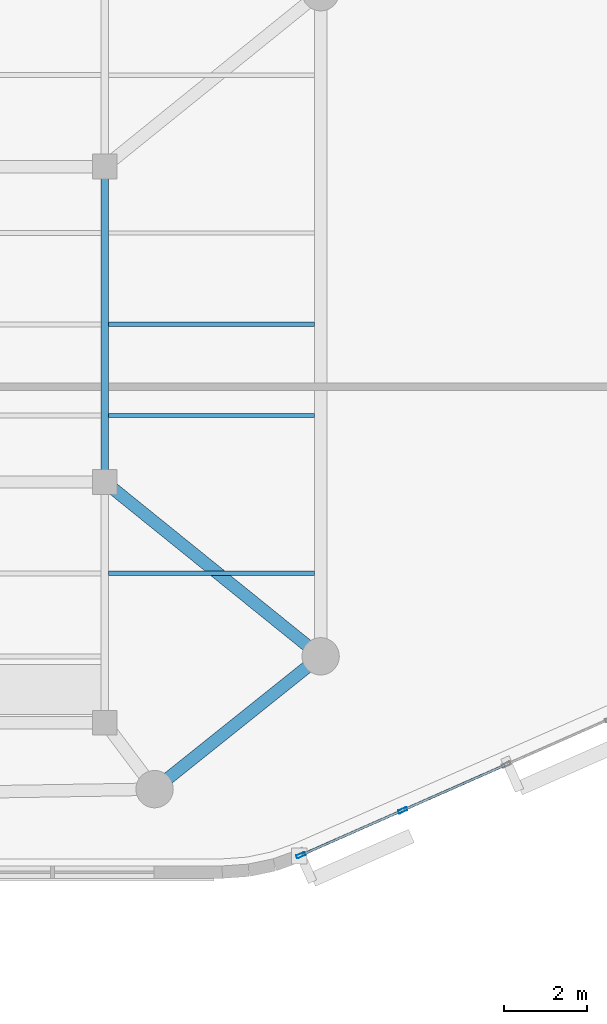
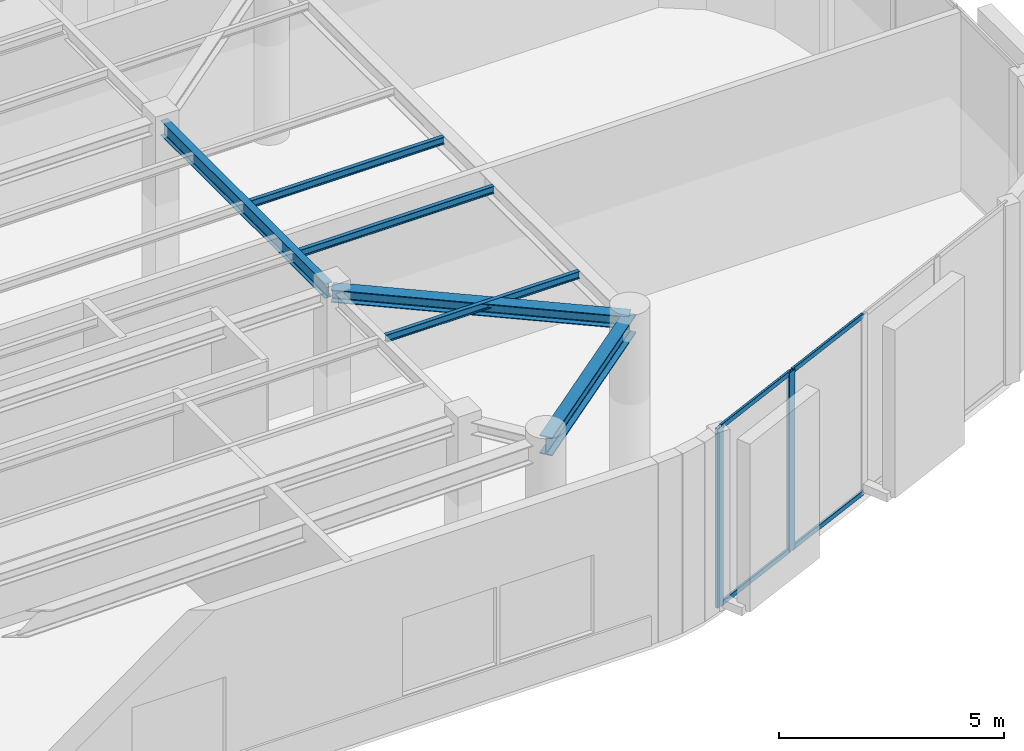
# One storey, part 2 of 12: 6 beams, 6 members, 1 element without a shape of its own.
"""IFC4 building model written with IfcOpenShell, lengths in metres."""

from ifc_helpers import new_model, si_unit, direction, frame, origin, origin_2d, place, context, subcontext, project, spatial, hollow_rectangle, i_section, extrude, material, layer, layer_set, material_profile, profile_set, type_object, element, aggregate, save


model = new_model("IFC4")

# Units and contexts
model_context = context("Model", 3, precision=1e-05, world=origin(), true_north=direction((0.0, 1.0)))
body_context = subcontext(model_context, "Body", "Model", "MODEL_VIEW")
ifc_project = project(units=[si_unit("LENGTHUNIT", "METRE"), si_unit("AREAUNIT", "SQUARE_METRE"), si_unit("VOLUMEUNIT", "CUBIC_METRE"), si_unit("PLANEANGLEUNIT", "RADIAN"), si_unit("MASSUNIT", "GRAM", prefix="KILO")], contexts=[model_context])

# Site, building, storey
site_placement = place(None, origin())
site = spatial("IfcSite", under=ifc_project, at=site_placement, CompositionType="ELEMENT")
building_placement = place(site_placement, origin())
building = spatial("IfcBuilding", under=site, at=building_placement, Name="An Khanh Terracotta Commons", CompositionType="ELEMENT")
storey_placement = place(building_placement, frame((0.0, 0.0, 295.300048828125)))
storey = spatial("IfcBuildingStorey", under=building, at=storey_placement, Name="L77", CompositionType="ELEMENT", Elevation=295.300048828125)

# Beams
ifc_material_1 = material(Name="Steel S355J2", Category="steel")
ifc_material_profile_1 = material_profile(ifc_material_1, i_section(OverallWidth=0.300048828125, OverallDepth=0.340087890625, WebThickness=0.011962890625, FlangeThickness=0.021484375, FilletRadius=0.027099609375, at=origin_2d()), Name="HEB340")
ifc_profile_set_1 = profile_set([ifc_material_profile_1], Name="Steel S355J2")
beam_type_1 = type_object("IfcBeamType", Name="BM-HEB340", PredefinedType="BEAM", material=ifc_profile_set_1)
beam_1_placement = place(storey_placement, frame((63.39990234375, 16.0, 4.679931640625), z_axis=(-0.777941866883, 0.628336256913, 0.0), x_axis=(-0.628336256913, -0.777941866883, 0.0)))
element("IfcBeam", 1, at=beam_1_placement, inside=storey, type_object=beam_type_1, Name="L77 Mega-Column Tie Girder 3", PredefinedType="BEAM", context=body_context, shape_type="SweptSolid", body=[
    extrude(i_section(OverallWidth=0.300048828125, OverallDepth=0.340087890625, WebThickness=0.011962890625, FlangeThickness=0.021484375, FilletRadius=0.027099609375, at=origin_2d()), origin(), (0.0, 0.0, 1.0), 6.684326171875),
])
ifc_material_profile_2 = material_profile(ifc_material_1, i_section(OverallWidth=0.300048828125, OverallDepth=0.5, WebThickness=0.014404296875, FlangeThickness=0.028076171875, FilletRadius=0.027099609375, at=origin_2d()), Name="HEB500")
ifc_profile_set_2 = profile_set([ifc_material_profile_2], Name="Steel S355J2")
beam_type_2 = type_object("IfcBeamType", Name="BM-HEB500", PredefinedType="BEAM", material=ifc_profile_set_2)
beam_2_placement = place(storey_placement, frame((59.39990234375, 12.800048828125, 4.599853515625), z_axis=(0.780873459249, 0.624689235253, 0.0), x_axis=(-0.624689235253, 0.780873459249, 0.0)))
element("IfcBeam", 2, at=beam_2_placement, inside=storey, type_object=beam_type_2, Name="L77 Perimeter Ring Spandrel 2", PredefinedType="BEAM", context=body_context, shape_type="SweptSolid", body=[
    extrude(i_section(OverallWidth=0.300048828125, OverallDepth=0.5, WebThickness=0.014404296875, FlangeThickness=0.028076171875, FilletRadius=0.027099609375, at=origin_2d()), origin(), (0.0, 0.0, 1.0), 5.12255859375),
])
ifc_material_profile_3 = material_profile(ifc_material_1, i_section(OverallWidth=0.10009765625, OverallDepth=0.199951171875, WebThickness=0.005615234375, FlangeThickness=0.008544921875, FilletRadius=0.011962890625, at=origin_2d()), Name="IPE200")
ifc_profile_set_3 = profile_set([ifc_material_profile_3], Name="Steel S355J2")
beam_type_3 = type_object("IfcBeamType", Name="BM-IPE200", PredefinedType="JOIST", material=ifc_profile_set_3)
for number, where, z_axis, x_axis, name in (
    (3, (58.2900390625, 18.0, 4.75), (1.0, 0.0, 0.0), (0.0, 1.0, 0.0), "L77 Riverfront Composite Joist 2"),
    (4, (58.2900390625, 21.800048828125, 4.75), (1.0, 0.0, 0.0), (0.0, 1.0, 0.0), "L77 Riverfront Composite Joist 3"),
    (5, (58.2900390625, 24.0, 4.75), (1.0, 0.0, 0.0), (0.0, 1.0, 0.0), "L77 Riverfront Composite Joist 4"),
):
    element("IfcBeam", number, at=place(storey_placement, frame(where, z_axis=z_axis, x_axis=x_axis)), inside=storey, type_object=beam_type_3, Name=name, PredefinedType="JOIST", context=body_context, shape_type="SweptSolid", body=[
        extrude(i_section(OverallWidth=0.10009765625, OverallDepth=0.199951171875, WebThickness=0.005615234375, FlangeThickness=0.008544921875, FilletRadius=0.011962890625, at=origin_2d()), origin(), (0.0, 0.0, 1.0), 4.9599609375),
    ])
ifc_material_profile_4 = material_profile(ifc_material_1, i_section(OverallWidth=0.179931640625, OverallDepth=0.39990234375, WebThickness=0.008544921875, FlangeThickness=0.013427734375, FilletRadius=0.02099609375, at=origin_2d()), Name="IPE400")
ifc_profile_set_4 = profile_set([ifc_material_profile_4], Name="Steel S355J2")
beam_type_4 = type_object("IfcBeamType", Name="BM-IPE400", PredefinedType="JOIST", material=ifc_profile_set_4)
beam_3_placement = place(storey_placement, frame((58.199951171875, 20.35009765625, 4.64990234375), z_axis=(0.0, 1.0, 0.0), x_axis=(-1.0, 0.0, 0.0)))
element("IfcBeam", 6, at=beam_3_placement, inside=storey, type_object=beam_type_4, Name="L77 East Spine Girder 2", PredefinedType="JOIST", context=body_context, shape_type="SweptSolid", body=[
    extrude(i_section(OverallWidth=0.179931640625, OverallDepth=0.39990234375, WebThickness=0.008544921875, FlangeThickness=0.013427734375, FilletRadius=0.02099609375, at=origin_2d()), origin(), (0.0, 0.0, 1.0), 7.2998046875),
])

# Curtain wall, members
ifc_material_2 = material(Name="Anodised Aluminium 6063-T6", Category="aluminium")
ifc_layer = layer(ifc_material_2, 0.239990234375, Name="Anodised Aluminium 6063-T6")
ifc_layer_set = layer_set([ifc_layer], Name="Anodised Aluminium 6063-T6")
curtain_wall_type = type_object("IfcCurtainWallType", Name="CW-SYS-04", PredefinedType="USERDEFINED", material=ifc_layer_set)
curtain_wall_placement = place(storey_placement, origin())
curtain_wall = element("IfcCurtainWall", 7, at=curtain_wall_placement, inside=storey, type_object=curtain_wall_type, Name="L77 CW-04 Unitised Curtain Wall CW-L77-08", ObjectType="UNITISED CURTAIN WALL", PredefinedType="USERDEFINED")
ifc_material_profile_5 = material_profile(ifc_material_2, hollow_rectangle(XDim=0.080078125, YDim=0.219970703125, WallThickness=0.0048828125, InnerFilletRadius=0.0048828125, OuterFilletRadius=0.010009765625, at=origin_2d()), Name="RHS220x80x5")
ifc_profile_set_5 = profile_set([ifc_material_profile_5], Name="Anodised Aluminium 6063-T6")
member_type_1 = type_object("IfcMemberType", Name="CWM-RHS220x80x5", PredefinedType="MULLION", material=ifc_profile_set_5)
member_1_placement = place(storey_placement, frame((62.923583984375, 11.20703125, 0.0), z_axis=(0.0, 0.0, 1.0), x_axis=(-0.403676354285, 0.914901853201, 0.0)))
member_1 = element("IfcMember", 8, at=member_1_placement, type_object=member_type_1, Name="CW-04 mullion 1", PredefinedType="MULLION", context=body_context, shape_type="SweptSolid", body=[
    extrude(hollow_rectangle(XDim=0.080078125, YDim=0.219970703125, WallThickness=0.0048828125, InnerFilletRadius=0.0048828125, OuterFilletRadius=0.010009765625, at=origin_2d()), origin(), (0.0, 0.0, 1.0), 4.849853515625),
])
member_2_placement = place(storey_placement, frame((65.37939453125, 12.290771484375, 0.0), z_axis=(0.0, 0.0, 1.0), x_axis=(-0.403676354285, 0.914901853201, 0.0)))
member_2 = element("IfcMember", 9, at=member_2_placement, type_object=member_type_1, Name="CW-04 mullion 2", PredefinedType="MULLION", context=body_context, shape_type="SweptSolid", body=[
    extrude(hollow_rectangle(XDim=0.080078125, YDim=0.219970703125, WallThickness=0.0048828125, InnerFilletRadius=0.0048828125, OuterFilletRadius=0.010009765625, at=origin_2d()), origin(), (0.0, 0.0, 1.0), 4.849853515625),
])
ifc_material_profile_6 = material_profile(ifc_material_2, hollow_rectangle(XDim=0.06005859375, YDim=0.135009765625, WallThickness=0.003662109375, InnerFilletRadius=0.003662109375, OuterFilletRadius=0.007080078125, at=origin_2d()), Name="RHS135x60x3.6")
ifc_profile_set_6 = profile_set([ifc_material_profile_6], Name="Anodised Aluminium 6063-T6")
member_type_2 = type_object("IfcMemberType", Name="CWT-RHS135x60x3.6", PredefinedType="USERDEFINED", material=ifc_profile_set_6)
member_3_placement = place(storey_placement, frame((62.960205078125, 11.223388671875, 0.030029296875), z_axis=(0.914913728775, 0.403649438126, 0.0), x_axis=(-0.403649438126, 0.914913728775, 0.0)))
member_3 = element("IfcMember", 10, at=member_3_placement, type_object=member_type_2, Name="CW-04 transom 1.1", ObjectType="TRANSOM", PredefinedType="USERDEFINED", context=body_context, shape_type="SweptSolid", body=[
    extrude(hollow_rectangle(XDim=0.06005859375, YDim=0.135009765625, WallThickness=0.003662109375, InnerFilletRadius=0.003662109375, OuterFilletRadius=0.007080078125, at=origin_2d()), origin(), (0.0, 0.0, 1.0), 2.6044921875),
])
member_4_placement = place(storey_placement, frame((62.960205078125, 11.223388671875, 4.820068359375), z_axis=(0.914913728775, 0.403649438126, 0.0), x_axis=(-0.403649438126, 0.914913728775, 0.0)))
member_4 = element("IfcMember", 11, at=member_4_placement, type_object=member_type_2, Name="CW-04 transom 1.2", ObjectType="TRANSOM", PredefinedType="USERDEFINED", context=body_context, shape_type="SweptSolid", body=[
    extrude(hollow_rectangle(XDim=0.06005859375, YDim=0.135009765625, WallThickness=0.003662109375, InnerFilletRadius=0.003662109375, OuterFilletRadius=0.007080078125, at=origin_2d()), origin(), (0.0, 0.0, 1.0), 2.6044921875),
])
member_5_placement = place(storey_placement, frame((65.416015625, 12.306884765625, 0.030029296875), z_axis=(0.914919807128, 0.403635660622, 0.0), x_axis=(-0.403635660622, 0.914919807128, 0.0)))
member_5 = element("IfcMember", 12, at=member_5_placement, type_object=member_type_2, Name="CW-04 transom 2.1", ObjectType="TRANSOM", PredefinedType="USERDEFINED", context=body_context, shape_type="SweptSolid", body=[
    extrude(hollow_rectangle(XDim=0.06005859375, YDim=0.135009765625, WallThickness=0.003662109375, InnerFilletRadius=0.003662109375, OuterFilletRadius=0.007080078125, at=origin_2d()), origin(), (0.0, 0.0, 1.0), 2.64453125),
])
member_6_placement = place(storey_placement, frame((65.416015625, 12.306884765625, 4.820068359375), z_axis=(0.914919807128, 0.403635660622, 0.0), x_axis=(-0.403635660622, 0.914919807128, 0.0)))
member_6 = element("IfcMember", 13, at=member_6_placement, type_object=member_type_2, Name="CW-04 transom 2.2", ObjectType="TRANSOM", PredefinedType="USERDEFINED", context=body_context, shape_type="SweptSolid", body=[
    extrude(hollow_rectangle(XDim=0.06005859375, YDim=0.135009765625, WallThickness=0.003662109375, InnerFilletRadius=0.003662109375, OuterFilletRadius=0.007080078125, at=origin_2d()), origin(), (0.0, 0.0, 1.0), 2.64453125),
])
aggregate(curtain_wall, [member_1, member_2, member_3, member_4, member_5, member_6])

save(model, "model.ifc")
